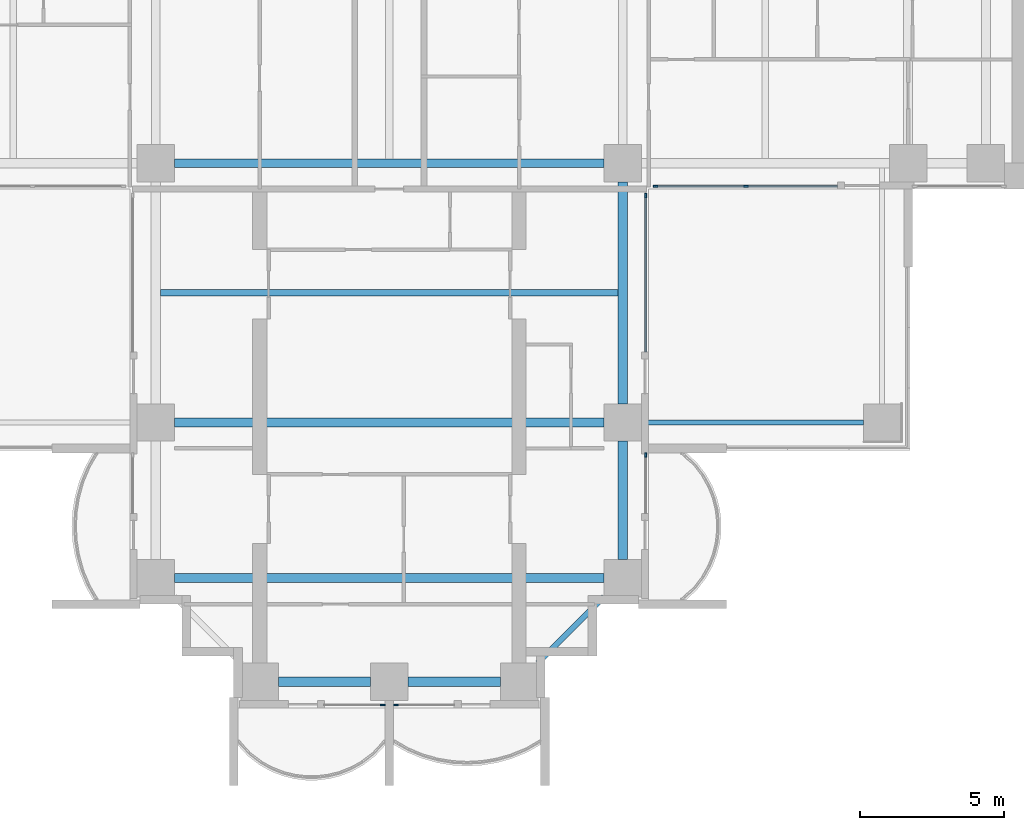
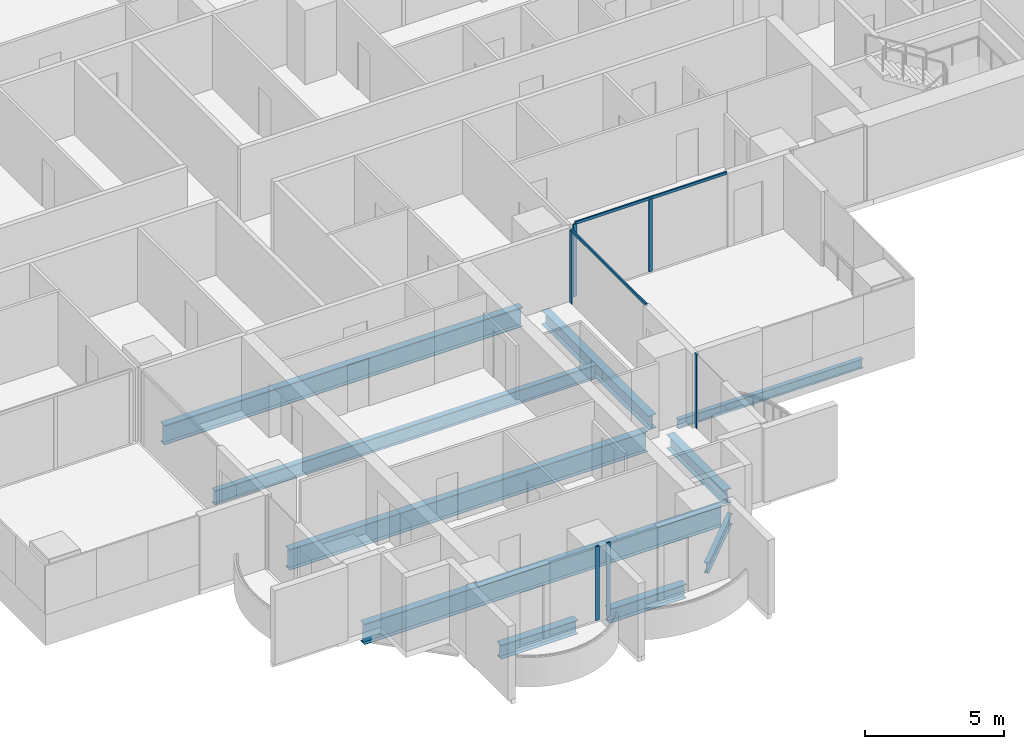
# One storey, part 3 of 20: 10 beams, 8 members, 5 elements without a shape of their own.
"""IFC4 building model written with IfcOpenShell, lengths in metres."""

from ifc_helpers import new_model, si_unit, direction, frame, origin, origin_2d, place, context, subcontext, project, spatial, rectangle, i_section, extrude, material, material_profile, profile_set, type_object, element, aggregate, save


model = new_model("IFC4")

# Units and contexts
model_context = context("Model", 3, precision=1e-05, world=origin(), true_north=direction((0.0, 1.0)))
body_context = subcontext(model_context, "Body", "Model", "MODEL_VIEW")
ifc_project = project(units=[si_unit("LENGTHUNIT", "METRE"), si_unit("AREAUNIT", "SQUARE_METRE"), si_unit("VOLUMEUNIT", "CUBIC_METRE"), si_unit("PLANEANGLEUNIT", "RADIAN"), si_unit("MASSUNIT", "GRAM", prefix="KILO")], contexts=[model_context])

# Site, building, storey
site_placement = place(None, origin())
site = spatial("IfcSite", under=ifc_project, at=site_placement, CompositionType="ELEMENT")
building_placement = place(site_placement, origin())
building = spatial("IfcBuilding", under=site, at=building_placement, Name="Perihelion Cross Residences", CompositionType="ELEMENT")
storey_placement = place(building_placement, frame((0.0, 0.0, 78.5)))
storey = spatial("IfcBuildingStorey", under=building, at=storey_placement, Name="L17", CompositionType="ELEMENT", Elevation=78.5)

# Curtain wall, member
ifc_material_1 = material(Name="Bronze anodised aluminium, tinted glazing", Category="aluminium")
curtain_wall_type = type_object("IfcCurtainWallType", Name="CW1", PredefinedType="NOTDEFINED", material=ifc_material_1)
curtain_wall_1_placement = place(storey_placement, origin())
curtain_wall_1 = element("IfcCurtainWall", 1, at=curtain_wall_1_placement, inside=storey, type_object=curtain_wall_type, Name="Curtain wall CW1 L17 south tip south bay 1", PredefinedType="NOTDEFINED")
ifc_material_2 = material(Name="Bronze anodised aluminium", Category="aluminium")
ifc_material_profile_1 = material_profile(ifc_material_2, rectangle(XDim=0.06005859375, YDim=0.159912109375, at=origin_2d()), Name="CW1 mullion")
ifc_profile_set_1 = profile_set([ifc_material_profile_1], Name="Bronze anodised aluminium")
member_type_1 = type_object("IfcMemberType", Name="CW1 mullion", PredefinedType="MULLION", material=ifc_profile_set_1)
member_1_placement = place(storey_placement, frame((-0.22998046875, -26.89990234375, 0.0), z_axis=(0.0, 0.0, 1.0), x_axis=(0.0, 1.0, 0.0)))
member_1 = element("IfcMember", 2, at=member_1_placement, type_object=member_type_1, Name="CW1 mullion 2", PredefinedType="MULLION", context=body_context, shape_type="SweptSolid", body=[
    extrude(rectangle(XDim=0.06005859375, YDim=0.159912109375, at=origin_2d()), origin(), (0.0, 0.0, 1.0), 3.25),
])
aggregate(curtain_wall_1, [member_1])

curtain_wall_2_placement = place(storey_placement, origin())
curtain_wall_2 = element("IfcCurtainWall", 3, at=curtain_wall_2_placement, inside=storey, type_object=curtain_wall_type, Name="Curtain wall CW1 L17 south tip south bay 2", PredefinedType="NOTDEFINED")
member_2_placement = place(storey_placement, frame((0.22998046875, -26.89990234375, 0.0), z_axis=(0.0, 0.0, 1.0), x_axis=(0.0, 1.0, 0.0)))
member_2 = element("IfcMember", 4, at=member_2_placement, type_object=member_type_1, Name="CW1 mullion 1", PredefinedType="MULLION", context=body_context, shape_type="SweptSolid", body=[
    extrude(rectangle(XDim=0.06005859375, YDim=0.159912109375, at=origin_2d()), origin(), (0.0, 0.0, 1.0), 3.25),
])
aggregate(curtain_wall_2, [member_2])

curtain_wall_3_placement = place(storey_placement, origin())
curtain_wall_3 = element("IfcCurtainWall", 5, at=curtain_wall_3_placement, inside=storey, type_object=curtain_wall_type, Name="Curtain wall CW1 L17 south side east bay 1", PredefinedType="NOTDEFINED")
member_3_placement = place(storey_placement, frame((8.89990234375, -18.22998046875, 0.0), z_axis=(0.0, 0.0, 1.0), x_axis=(-1.0, 0.0, 0.0)))
member_3 = element("IfcMember", 6, at=member_3_placement, type_object=member_type_1, Name="CW1 mullion 2", PredefinedType="MULLION", context=body_context, shape_type="SweptSolid", body=[
    extrude(rectangle(XDim=0.06005859375, YDim=0.159912109375, at=origin_2d()), origin(), (0.0, 0.0, 1.0), 3.25),
])
aggregate(curtain_wall_3, [member_3])

curtain_wall_4_placement = place(storey_placement, origin())
curtain_wall_4 = element("IfcCurtainWall", 7, at=curtain_wall_4_placement, inside=storey, type_object=curtain_wall_type, Name="Curtain wall CW1 L17 south side east bay 2", PredefinedType="NOTDEFINED")
member_4_placement = place(storey_placement, frame((8.89990234375, -9.22998046875, 0.0), z_axis=(0.0, 0.0, 1.0), x_axis=(-1.0, 0.0, 0.0)))
member_4 = element("IfcMember", 8, at=member_4_placement, type_object=member_type_1, Name="CW1 mullion 2", PredefinedType="MULLION", context=body_context, shape_type="SweptSolid", body=[
    extrude(rectangle(XDim=0.06005859375, YDim=0.159912109375, at=origin_2d()), origin(), (0.0, 0.0, 1.0), 3.18994140625),
])

# Curtain wall, members
curtain_wall_5_placement = place(storey_placement, origin())
curtain_wall_5 = element("IfcCurtainWall", 9, at=curtain_wall_5_placement, inside=storey, type_object=curtain_wall_type, Name="Curtain wall CW1 L17 east side south bay 1", PredefinedType="NOTDEFINED")
member_5_placement = place(storey_placement, frame((9.22998046875, -8.89990234375, 0.0), z_axis=(0.0, 0.0, 1.0), x_axis=(0.0, 1.0, 0.0)))
member_5 = element("IfcMember", 10, at=member_5_placement, type_object=member_type_1, Name="CW1 mullion 1", PredefinedType="MULLION", context=body_context, shape_type="SweptSolid", body=[
    extrude(rectangle(XDim=0.06005859375, YDim=0.159912109375, at=origin_2d()), origin(), (0.0, 0.0, 1.0), 3.18994140625),
])
member_6_placement = place(storey_placement, frame((12.375, -8.89990234375, 0.0), z_axis=(0.0, 0.0, 1.0), x_axis=(0.0, 1.0, 0.0)))
member_6 = element("IfcMember", 11, at=member_6_placement, type_object=member_type_1, Name="CW1 mullion 2", PredefinedType="MULLION", context=body_context, shape_type="SweptSolid", body=[
    extrude(rectangle(XDim=0.06005859375, YDim=0.159912109375, at=origin_2d()), origin(), (0.0, 0.0, 1.0), 3.18994140625),
])

# Member
ifc_material_3 = material(Name="Bronze anodised aluminium", Category="aluminium")
ifc_material_profile_2 = material_profile(ifc_material_3, rectangle(XDim=0.06005859375, YDim=0.1201171875, at=origin_2d()), Name="CW1 transom")
ifc_profile_set_2 = profile_set([ifc_material_profile_2], Name="Bronze anodised aluminium")
member_type_2 = type_object("IfcMemberType", Name="CW1 transom", PredefinedType="USERDEFINED", material=ifc_profile_set_2)
member_7_placement = place(storey_placement, frame((8.89990234375, -14.64990234375, 3.219970703125), z_axis=(0.0, 1.0, 0.0), x_axis=(-1.0, 0.0, 0.0)))
member_7 = element("IfcMember", 12, at=member_7_placement, type_object=member_type_2, Name="CW1 head transom", ObjectType="TRANSOM", PredefinedType="USERDEFINED", context=body_context, shape_type="SweptSolid", body=[
    extrude(rectangle(XDim=0.06005859375, YDim=0.1201171875, at=origin_2d()), origin(), (0.0, 0.0, 1.0), 5.419921875),
])

aggregate(curtain_wall_4, [member_4, member_7])

member_8_placement = place(storey_placement, frame((9.22998046875, -8.89990234375, 3.219970703125), z_axis=(1.0, 0.0, 0.0), x_axis=(0.0, 1.0, 0.0)))
member_8 = element("IfcMember", 13, at=member_8_placement, type_object=member_type_2, Name="CW1 head transom", ObjectType="TRANSOM", PredefinedType="USERDEFINED", context=body_context, shape_type="SweptSolid", body=[
    extrude(rectangle(XDim=0.06005859375, YDim=0.1201171875, at=origin_2d()), origin(), (0.0, 0.0, 1.0), 6.320068359375),
])

aggregate(curtain_wall_5, [member_5, member_6, member_8])

# Beams
ifc_material_4 = material(Name="Steel S355", Category="steel")
ifc_material_profile_3 = material_profile(ifc_material_4, i_section(OverallWidth=0.177978515625, OverallDepth=0.406005859375, WebThickness=0.0078125, FlangeThickness=0.0126953125, at=origin_2d()), Name="W410x60")
ifc_profile_set_3 = profile_set([ifc_material_profile_3], Name="Steel S355")
beam_type_1 = type_object("IfcBeamType", Name="Core edge beam W410x60", PredefinedType="BEAM", material=ifc_profile_set_3)
beam_1_placement = place(storey_placement, frame((8.75, -17.10009765625, -0.452880859375), z_axis=(1.0, 0.0, 0.0), x_axis=(0.0, 1.0, 0.0)))
element("IfcBeam", 14, at=beam_1_placement, inside=storey, type_object=beam_type_1, Name="Core edge beam TB2 L17 corner no. 6", PredefinedType="BEAM", context=body_context, shape_type="SweptSolid", body=[
    extrude(i_section(OverallWidth=0.177978515625, OverallDepth=0.406005859375, WebThickness=0.0078125, FlangeThickness=0.0126953125, at=origin_2d()), origin(), (0.0, 0.0, 1.0), 7.699951171875),
])
ifc_material_5 = material(Name="Steel S355", Category="steel")
ifc_material_profile_4 = material_profile(ifc_material_5, i_section(OverallWidth=0.324951171875, OverallDepth=0.616943359375, WebThickness=0.013916015625, FlangeThickness=0.021484375, at=origin_2d()), Name="W610x174")
ifc_profile_set_4 = profile_set([ifc_material_profile_4], Name="Steel S355")
beam_type_2 = type_object("IfcBeamType", Name="Edge beam W610x174", PredefinedType="SPANDREL", material=ifc_profile_set_4)
for number, where, z_axis, x_axis, name in (
    (15, (-3.85009765625, -26.10009765625, -0.55859375), (1.0, 0.0, 0.0), (0.0, 1.0, 0.0), "Edge beam SB2 L17 no. 4"),
    (16, (0.64990234375, -26.10009765625, -0.55859375), (1.0, 0.0, 0.0), (0.0, 1.0, 0.0), "Edge beam SB2 L17 no. 10"),
):
    element("IfcBeam", number, at=place(storey_placement, frame(where, z_axis=z_axis, x_axis=x_axis)), inside=storey, type_object=beam_type_2, Name=name, PredefinedType="SPANDREL", context=body_context, shape_type="SweptSolid", body=[
        extrude(i_section(OverallWidth=0.324951171875, OverallDepth=0.616943359375, WebThickness=0.013916015625, FlangeThickness=0.021484375, at=origin_2d()), origin(), (0.0, 0.0, 1.0), 3.2001953125),
    ])
beam_2_placement = place(storey_placement, frame((8.10009765625, -21.85009765625, -0.55859375), z_axis=(0.0, 1.0, 0.0), x_axis=(-1.0, 0.0, 0.0)))
element("IfcBeam", 17, at=beam_2_placement, inside=storey, type_object=beam_type_2, Name="Edge beam SB2 L17 no. 17", PredefinedType="SPANDREL", context=body_context, shape_type="SweptSolid", body=[
    extrude(i_section(OverallWidth=0.324951171875, OverallDepth=0.616943359375, WebThickness=0.013916015625, FlangeThickness=0.021484375, at=origin_2d()), origin(), (0.0, 0.0, 1.0), 4.10009765625),
])
beam_3_placement = place(storey_placement, frame((8.10009765625, -16.449951171875, -0.55859375), z_axis=(0.0, 1.0, 0.0), x_axis=(-1.0, 0.0, 0.0)))
element("IfcBeam", 18, at=beam_3_placement, inside=storey, type_object=beam_type_2, Name="Edge beam SB2 L17 no. 16", PredefinedType="SPANDREL", context=body_context, shape_type="SweptSolid", body=[
    extrude(i_section(OverallWidth=0.324951171875, OverallDepth=0.616943359375, WebThickness=0.013916015625, FlangeThickness=0.021484375, at=origin_2d()), origin(), (0.0, 0.0, 1.0), 7.699951171875),
])
ifc_material_6 = material(Name="Steel S355", Category="steel")
ifc_material_profile_5 = material_profile(ifc_material_6, i_section(OverallWidth=0.304931640625, OverallDepth=0.904052734375, WebThickness=0.01513671875, FlangeThickness=0.02001953125, at=origin_2d()), Name="W920x201")
ifc_profile_set_5 = profile_set([ifc_material_profile_5], Name="Steel S355")
beam_type_3 = type_object("IfcBeamType", Name="Floor girder W920x201", PredefinedType="BEAM", material=ifc_profile_set_5)
for number, where, z_axis, x_axis, name in (
    (19, (-7.449951171875, -17.10009765625, -0.701904296875), (1.0, 0.0, 0.0), (0.0, 1.0, 0.0), "Girder G2 L17 no. 3"),
    (20, (-7.449951171875, -22.5, -0.701904296875), (1.0, 0.0, 0.0), (0.0, 1.0, 0.0), "Girder G2 L17 no. 4"),
):
    element("IfcBeam", number, at=place(storey_placement, frame(where, z_axis=z_axis, x_axis=x_axis)), inside=storey, type_object=beam_type_3, Name=name, PredefinedType="BEAM", context=body_context, shape_type="SweptSolid", body=[
        extrude(i_section(OverallWidth=0.304931640625, OverallDepth=0.904052734375, WebThickness=0.01513671875, FlangeThickness=0.02001953125, at=origin_2d()), origin(), (0.0, 0.0, 1.0), 14.89990234375),
    ])
ifc_material_7 = material(Name="Steel S355", Category="steel")
ifc_material_profile_6 = material_profile(ifc_material_7, i_section(OverallWidth=0.22900390625, OverallDepth=0.612060546875, WebThickness=0.011962890625, FlangeThickness=0.01953125, at=origin_2d()), Name="W610x125")
ifc_profile_set_6 = profile_set([ifc_material_profile_6], Name="Steel S355")
beam_type_4 = type_object("IfcBeamType", Name="Floor joist W610x125", PredefinedType="JOIST", material=ifc_profile_set_6)
beam_4_placement = place(storey_placement, frame((-7.9375, -12.60009765625, -0.555908203125), z_axis=(1.0, 0.0, 0.0), x_axis=(0.0, 1.0, 0.0)))
element("IfcBeam", 21, at=beam_4_placement, inside=storey, type_object=beam_type_4, Name="Joist J3 L17 no. 3", PredefinedType="JOIST", context=body_context, shape_type="SweptSolid", body=[
    extrude(i_section(OverallWidth=0.22900390625, OverallDepth=0.612060546875, WebThickness=0.011962890625, FlangeThickness=0.01953125, at=origin_2d()), origin(), (0.0, 0.0, 1.0), 15.875),
])
ifc_material_8 = material(Name="Steel S355", Category="steel")
ifc_material_profile_7 = material_profile(ifc_material_8, i_section(OverallWidth=0.2919921875, OverallDepth=0.85888671875, WebThickness=0.01708984375, FlangeThickness=0.031005859375, at=origin_2d()), Name="W840x251")
ifc_profile_set_7 = profile_set([ifc_material_profile_7], Name="Steel S355")
beam_type_5 = type_object("IfcBeamType", Name="Hub ring girder W840x251", PredefinedType="BEAM", material=ifc_profile_set_7)
beam_5_placement = place(storey_placement, frame((-7.449951171875, -8.10009765625, -0.679443359375), z_axis=(1.0, 0.0, 0.0), x_axis=(0.0, 1.0, 0.0)))
element("IfcBeam", 22, at=beam_5_placement, inside=storey, type_object=beam_type_5, Name="Hub ring girder RG2 L17 no. 1", PredefinedType="BEAM", context=body_context, shape_type="SweptSolid", body=[
    extrude(i_section(OverallWidth=0.2919921875, OverallDepth=0.85888671875, WebThickness=0.01708984375, FlangeThickness=0.031005859375, at=origin_2d()), origin(), (0.0, 0.0, 1.0), 14.89990234375),
])
ifc_material_9 = material(Name="Steel S355", Category="steel")
ifc_material_profile_8 = material_profile(ifc_material_9, i_section(OverallWidth=0.194091796875, OverallDepth=0.469970703125, WebThickness=0.0126953125, FlangeThickness=0.0205078125, at=origin_2d()), Name="W460x106")
ifc_profile_set_8 = profile_set([ifc_material_profile_8], Name="Steel S355")
beam_type_6 = type_object("IfcBeamType", Name="Serration edge beam W460x106", PredefinedType="BEAM", material=ifc_profile_set_8)
beam_6_placement = place(storey_placement, frame((5.14990234375, -25.449951171875, -0.485107421875), z_axis=(0.707106781187, 0.707106781187, 0.0), x_axis=(-0.707106781187, 0.707106781187, 0.0)))
element("IfcBeam", 23, at=beam_6_placement, inside=storey, type_object=beam_type_6, Name="Serration edge beam EB2 L17 no. 3", PredefinedType="BEAM", context=body_context, shape_type="SweptSolid", body=[
    extrude(i_section(OverallWidth=0.194091796875, OverallDepth=0.469970703125, WebThickness=0.0126953125, FlangeThickness=0.0205078125, at=origin_2d()), origin(), (0.0, 0.0, 1.0), 3.252685546875),
])

save(model, "model.ifc")
